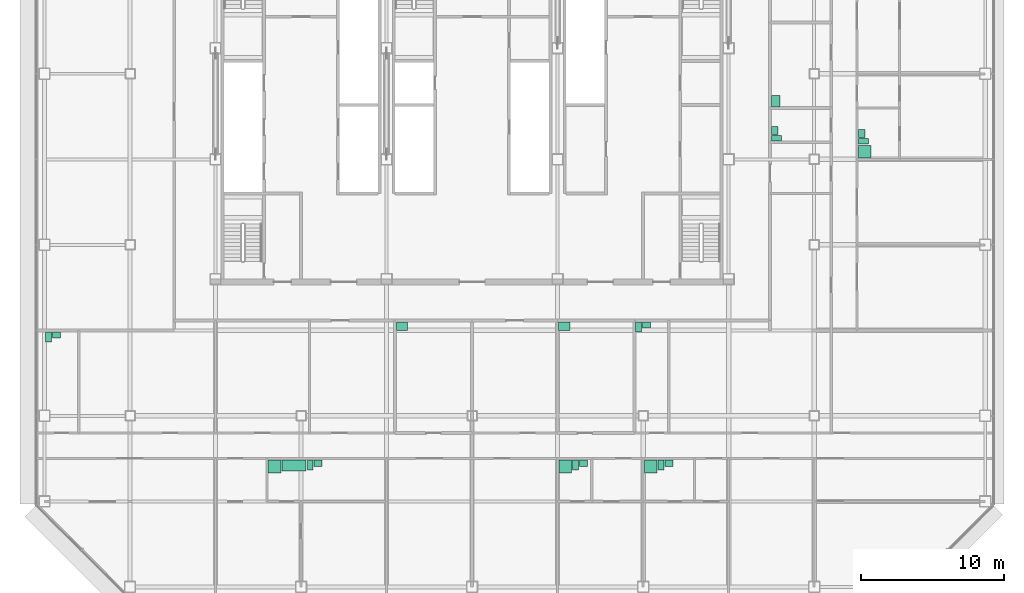
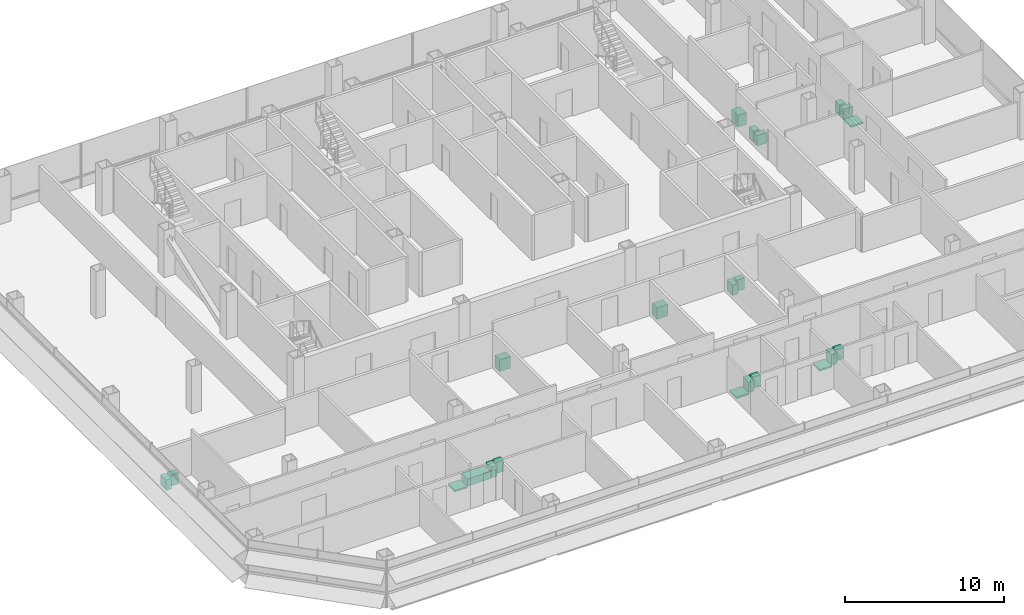
# One storey, part 25 of 25: 22 sanitary terminals.
"""IFC4 building model written with IfcOpenShell, lengths in metres."""

import ifcopenshell
import ifcopenshell.guid

model = None  # the IFC model being written
_history = None  # IfcOwnerHistory: only IFC2X3 demands one
_inside = {}  # id of a spatial element -> (the spatial element, [elements in it])
_under = {}  # id of a project, library or spatial element -> (it, [spatial elements below it])
_declared = {}  # id of a project -> (the project, [libraries it declares])
_typed = {}  # id of a type object -> (the type object, [elements of that type])
_made_of = {}  # id of a material, layer set ... -> (it, [elements and type objects made of it])


def new_model(schema):
    """Start an empty IFC model of exactly this schema.

    Asked for "IFC4X3", IfcOpenShell would pick the latest addendum, in which some entities
    have other attributes; the version numbers below select the first issue.
    IFC2X3 requires an IfcOwnerHistory on every rooted entity: one is made here for all.
    """
    global model, _history
    if schema == "IFC4X3":
        model = ifcopenshell.file(schema_version=(4, 3, 0, 0))
    else:
        model = ifcopenshell.file(schema=schema)
    _inside.clear()
    _under.clear()
    _declared.clear()
    _typed.clear()
    _made_of.clear()
    _history = None
    if model.schema == "IFC2X3":
        org = make("IfcOrganization", Name="unknown")
        user = make(
            "IfcPersonAndOrganization",
            ThePerson=make("IfcPerson", FamilyName="unknown"),
            TheOrganization=org,
        )
        app = make(
            "IfcApplication",
            ApplicationDeveloper=org,
            Version="unknown",
            ApplicationFullName="unknown",
            ApplicationIdentifier="unknown",
        )
        _history = make(
            "IfcOwnerHistory",
            OwningUser=user,
            OwningApplication=app,
            ChangeAction="ADDED",
            CreationDate=0,
        )
    return model


def make(cls, **values):
    """One entity of the class cls with the attributes given. An attribute that is None is left unset."""
    return model.create_entity(
        cls, **{name: value for name, value in values.items() if value is not None}
    )


def rooted(cls, **values):
    """An entity with a GlobalId (a new one), such as an element, a storey or a relation."""
    return make(cls, GlobalId=ifcopenshell.guid.new(), OwnerHistory=_history, **values)


def si_unit(unit_type, name, prefix=None):
    """IfcSIUnit, for example si_unit("LENGTHUNIT", "METRE", prefix="MILLI")."""
    return make("IfcSIUnit", UnitType=unit_type, Prefix=prefix, Name=name)


def assignment(units):
    """IfcUnitAssignment: the units of a project."""
    return None if units is None else make("IfcUnitAssignment", Units=units)


def point(xyz):
    """IfcCartesianPoint."""
    return None if xyz is None else make("IfcCartesianPoint", Coordinates=xyz)


def direction(xyz):
    """IfcDirection."""
    return None if xyz is None else make("IfcDirection", DirectionRatios=xyz)


def frame(location, z_axis=None, x_axis=None):
    """IfcAxis2Placement3D, a coordinate frame: its origin and axes. An axis left out is left unset."""
    return make(
        "IfcAxis2Placement3D",
        Location=point(location),
        Axis=direction(z_axis),
        RefDirection=direction(x_axis),
    )


def frame_2d(location, x_axis=None):
    """IfcAxis2Placement2D, a coordinate frame in the plane: its origin and x axis."""
    return make(
        "IfcAxis2Placement2D", Location=point(location), RefDirection=direction(x_axis)
    )


def origin():
    """The frame at (0, 0, 0) with its axes left unset."""
    return frame((0.0, 0.0, 0.0))


def origin_2d():
    """The frame at (0, 0) in the plane with its x axis left unset."""
    return frame_2d((0.0, 0.0))


def place(relative_to, where):
    """IfcLocalPlacement: puts the frame where relative to a parent placement (None: the world)."""
    return make(
        "IfcLocalPlacement", PlacementRelTo=relative_to, RelativePlacement=where
    )


def context(
    kind, dimensions, precision=None, world=None, true_north=None, identifier=None
):
    """IfcGeometricRepresentationContext, for example the 3D "Model" context."""
    return make(
        "IfcGeometricRepresentationContext",
        ContextIdentifier=identifier,
        ContextType=kind,
        CoordinateSpaceDimension=dimensions,
        Precision=precision,
        WorldCoordinateSystem=world,
        TrueNorth=true_north,
    )


def subcontext(parent, identifier, kind, view, scale=None):
    """IfcGeometricRepresentationSubContext, for example "Body" below "Model"."""
    return make(
        "IfcGeometricRepresentationSubContext",
        ContextIdentifier=identifier,
        ContextType=kind,
        ParentContext=parent,
        TargetScale=scale,
        TargetView=view,
    )


def project(units=None, contexts=None):
    """IfcProject with its units and contexts."""
    return rooted(
        "IfcProject",
        Name="project",
        RepresentationContexts=contexts,
        UnitsInContext=assignment(units),
    )


def spatial(cls, under=None, at=None, **own):
    """A site, building, storey or space (cls), placed at a placement, below another one or the project."""
    s = rooted(cls, ObjectPlacement=at, **own)
    if under is not None:
        _under.setdefault(under.id(), (under, []))[1].append(s)
    return s


def profile(cls, at=None, kind="AREA", **sizes):
    """A parametric profile (cls). Its sizes go by their IFC names, for example OverallWidth=200.0."""
    return make(cls, ProfileType=kind, Position=at, **sizes)


def rectangle(**sizes):
    """IfcRectangleProfileDef."""
    return profile("IfcRectangleProfileDef", **sizes)


def extrude(swept, where, along, depth):
    """IfcExtrudedAreaSolid: the profile swept, set in the frame where, extruded along a direction by depth."""
    return make(
        "IfcExtrudedAreaSolid",
        SweptArea=swept,
        Position=where,
        ExtrudedDirection=direction(along),
        Depth=depth,
    )


def shape(context_of_items, identifier, shape_type, items):
    """IfcShapeRepresentation: the items that make up one representation, for example the "Body"."""
    return make(
        "IfcShapeRepresentation",
        ContextOfItems=context_of_items,
        RepresentationIdentifier=identifier,
        RepresentationType=shape_type,
        Items=items,
    )


def made_of(thing, what):
    """Note that an element or type object is made of a material, layer set ...; save() writes the relation."""
    if what is not None:
        _made_of.setdefault(what.id(), (what, []))[1].append(thing)
    return thing


def element(
    cls,
    number,
    at=None,
    inside=None,
    cuts=None,
    type_object=None,
    material=None,
    context=None,
    identifier="Body",
    shape_type=None,
    held_by="IfcProductDefinitionShape",
    body=None,
    shapes=None,
    **own,
):
    """One element of the class cls, such as IfcWall. Its Tag is "e" and its number.

    at: its placement. inside: the storey or other place that contains it. cuts: it is an
    opening in that element (IfcRelVoidsElement). A single representation is given by context,
    identifier, shape_type and body (its items); several are given by shapes. held_by: the class
    of the entity that holds the representations. save() writes the other relations.
    """
    e = rooted(cls, Tag="e%d" % number, ObjectPlacement=at, **own)
    if body is not None:
        shapes = [shape(context, identifier, shape_type, body)]
    if shapes is not None:
        e.Representation = make(held_by, Representations=shapes)
    if inside is not None:
        _inside.setdefault(inside.id(), (inside, []))[1].append(e)
    if cuts is not None:
        rooted(
            "IfcRelVoidsElement", RelatingBuildingElement=cuts, RelatedOpeningElement=e
        )
    if type_object is not None:
        _typed.setdefault(type_object.id(), (type_object, []))[1].append(e)
    return made_of(e, material)


def aggregate(whole, parts):
    """IfcRelAggregates: a whole, such as a stair, and the parts it consists of."""
    return rooted("IfcRelAggregates", RelatingObject=whole, RelatedObjects=parts)


def save(model, path):
    """Write the relations noted so far, then the file.

    IfcRelAggregates (storeys below a building ...), IfcRelContainedInSpatialStructure (elements
    in a storey), IfcRelDefinesByType, IfcRelAssociatesMaterial and IfcRelDeclares: one each for
    every whole, place, type object, material and project.
    """
    for whole, parts in _under.values():
        aggregate(whole, parts)
    for where, things in _inside.values():
        rooted(
            "IfcRelContainedInSpatialStructure",
            RelatedElements=things,
            RelatingStructure=where,
        )
    for kind, things in _typed.values():
        rooted("IfcRelDefinesByType", RelatedObjects=things, RelatingType=kind)
    for what, things in _made_of.values():
        rooted("IfcRelAssociatesMaterial", RelatedObjects=things, RelatingMaterial=what)
    for by, libraries in _declared.values():
        rooted("IfcRelDeclares", RelatingContext=by, RelatedDefinitions=libraries)
    model.write(path)


model = new_model("IFC4")

# Units and contexts
model_context = context("Model", 3, precision=1e-05, world=origin(), true_north=direction((0.0, 1.0)))
body_context = subcontext(model_context, "Body", "Model", "MODEL_VIEW")
ifc_project = project(units=[si_unit("LENGTHUNIT", "METRE"), si_unit("AREAUNIT", "SQUARE_METRE"), si_unit("VOLUMEUNIT", "CUBIC_METRE"), si_unit("PLANEANGLEUNIT", "RADIAN"), si_unit("MASSUNIT", "GRAM", prefix="KILO")], contexts=[model_context])

# Site, building, storey
site_placement = place(None, origin())
site = spatial("IfcSite", under=ifc_project, at=site_placement, CompositionType="ELEMENT")
building_placement = place(site_placement, origin())
building = spatial("IfcBuilding", under=site, at=building_placement, Name="Sorahane Residences", CompositionType="ELEMENT")
storey_placement = place(building_placement, frame((0.0, 0.0, 119.60009765625)))
storey = spatial("IfcBuildingStorey", under=building, at=storey_placement, Name="L26", CompositionType="ELEMENT", Elevation=119.60009765625)

# Sanitary terminals
sanitary_terminal_1_placement = place(storey_placement, frame((10.1298828125, 8.449951171875, -0.000244140625), z_axis=(0.0, 0.0, 1.0), x_axis=(1.0, 0.0, 0.0)))
element("IfcSanitaryTerminal", 1, at=sanitary_terminal_1_placement, inside=storey, Name="Shower tray En-suite bathroom 26A", PredefinedType="SHOWER", context=body_context, shape_type="SweptSolid", body=[
    extrude(rectangle(XDim=0.89990234375, YDim=0.89990234375, at=origin_2d()), origin(), (0.0, 0.0, 1.0), 0.1201171875),
])
sanitary_terminal_2_placement = place(storey_placement, frame((11.510009765625, 8.52490234375, -0.000244140625), z_axis=(0.0, 0.0, 1.0), x_axis=(1.0, 0.0, 0.0)))
element("IfcSanitaryTerminal", 2, at=sanitary_terminal_2_placement, inside=storey, Name="Bath En-suite bathroom 26A", PredefinedType="BATH", context=body_context, shape_type="SweptSolid", body=[
    extrude(rectangle(XDim=1.699951171875, YDim=0.75, at=origin_2d()), origin(), (0.0, 0.0, 1.0), 0.56005859375),
])
sanitary_terminal_3_placement = place(storey_placement, frame((12.639892578125, 8.550048828125, 0.0), z_axis=(0.0, 0.0, 1.0), x_axis=(1.0, 0.0, 0.0)))
element("IfcSanitaryTerminal", 3, at=sanitary_terminal_3_placement, inside=storey, Name="WC pan En-suite bathroom 26A", PredefinedType="TOILETPAN", context=body_context, shape_type="SweptSolid", body=[
    extrude(rectangle(XDim=0.39990234375, YDim=0.699951171875, at=origin_2d()), origin(), (0.0, 0.0, 1.0), 0.800048828125),
])
sanitary_terminal_4_placement = place(storey_placement, frame((13.195068359375, 8.675048828125, -0.000244140625), z_axis=(0.0, 0.0, 1.0), x_axis=(1.0, 0.0, 0.0)))
element("IfcSanitaryTerminal", 4, at=sanitary_terminal_4_placement, inside=storey, Name="Wash basin En-suite bathroom 26A", PredefinedType="WASHHANDBASIN", context=body_context, shape_type="SweptSolid", body=[
    extrude(rectangle(XDim=0.550048828125, YDim=0.449951171875, at=origin_2d()), origin(), (0.0, 0.0, 1.0), 0.85009765625),
])
sanitary_terminal_5_placement = place(storey_placement, frame((-5.719970703125, 17.550048828125, 0.0), z_axis=(0.0, 0.0, 1.0), x_axis=(1.0, 0.0, 0.0)))
element("IfcSanitaryTerminal", 5, at=sanitary_terminal_5_placement, inside=storey, Name="WC pan Powder room 26A", PredefinedType="TOILETPAN", context=body_context, shape_type="SweptSolid", body=[
    extrude(rectangle(XDim=0.39990234375, YDim=0.699951171875, at=origin_2d()), origin(), (0.0, 0.0, 1.0), 0.800048828125),
])
sanitary_terminal_6_placement = place(storey_placement, frame((-5.1650390625, 17.675048828125, -0.000244140625), z_axis=(0.0, 0.0, 1.0), x_axis=(1.0, 0.0, 0.0)))
element("IfcSanitaryTerminal", 6, at=sanitary_terminal_6_placement, inside=storey, Name="Wash basin Powder room 26A", PredefinedType="WASHHANDBASIN", context=body_context, shape_type="SweptSolid", body=[
    extrude(rectangle(XDim=0.550048828125, YDim=0.449951171875, at=origin_2d()), origin(), (0.0, 0.0, 1.0), 0.85009765625),
])
sanitary_terminal_7_placement = place(storey_placement, frame((19.080078125, 18.300048828125, 0.0), z_axis=(0.0, 0.0, 1.0), x_axis=(1.0, 0.0, 0.0)))
element("IfcSanitaryTerminal", 7, at=sanitary_terminal_7_placement, inside=storey, Name="Kitchen sink Kitchen 26A", PredefinedType="SINK", context=body_context, shape_type="SweptSolid", body=[
    extrude(rectangle(XDim=0.800048828125, YDim=0.60009765625, at=origin_2d()), origin(), (0.0, 0.0, 1.0), 0.89990234375),
])
sanitary_terminal_8_placement = place(storey_placement, frame((30.530029296875, 8.449951171875, -0.000244140625), z_axis=(0.0, 0.0, 1.0), x_axis=(1.0, 0.0, 0.0)))
element("IfcSanitaryTerminal", 8, at=sanitary_terminal_8_placement, inside=storey, Name="Shower tray En-suite bathroom 26B", PredefinedType="SHOWER", context=body_context, shape_type="SweptSolid", body=[
    extrude(rectangle(XDim=0.89990234375, YDim=0.89990234375, at=origin_2d()), origin(), (0.0, 0.0, 1.0), 0.1201171875),
])
sanitary_terminal_9_placement = place(storey_placement, frame((31.260009765625, 8.550048828125, 0.0), z_axis=(0.0, 0.0, 1.0), x_axis=(1.0, 0.0, 0.0)))
element("IfcSanitaryTerminal", 9, at=sanitary_terminal_9_placement, inside=storey, Name="WC pan En-suite bathroom 26B", PredefinedType="TOILETPAN", context=body_context, shape_type="SweptSolid", body=[
    extrude(rectangle(XDim=0.39990234375, YDim=0.699951171875, at=origin_2d()), origin(), (0.0, 0.0, 1.0), 0.800048828125),
])
sanitary_terminal_10_placement = place(storey_placement, frame((31.81494140625, 8.675048828125, -0.000244140625), z_axis=(0.0, 0.0, 1.0), x_axis=(1.0, 0.0, 0.0)))
element("IfcSanitaryTerminal", 10, at=sanitary_terminal_10_placement, inside=storey, Name="Wash basin En-suite bathroom 26B", PredefinedType="WASHHANDBASIN", context=body_context, shape_type="SweptSolid", body=[
    extrude(rectangle(XDim=0.550048828125, YDim=0.449951171875, at=origin_2d()), origin(), (0.0, 0.0, 1.0), 0.85009765625),
])
sanitary_terminal_11_placement = place(storey_placement, frame((36.530029296875, 8.449951171875, -0.000244140625), z_axis=(0.0, 0.0, 1.0), x_axis=(1.0, 0.0, 0.0)))
element("IfcSanitaryTerminal", 11, at=sanitary_terminal_11_placement, inside=storey, Name="Shower tray En-suite bathroom 26B-2", PredefinedType="SHOWER", context=body_context, shape_type="SweptSolid", body=[
    extrude(rectangle(XDim=0.89990234375, YDim=0.89990234375, at=origin_2d()), origin(), (0.0, 0.0, 1.0), 0.1201171875),
])
sanitary_terminal_12_placement = place(storey_placement, frame((37.260009765625, 8.550048828125, 0.0), z_axis=(0.0, 0.0, 1.0), x_axis=(1.0, 0.0, 0.0)))
element("IfcSanitaryTerminal", 12, at=sanitary_terminal_12_placement, inside=storey, Name="WC pan En-suite bathroom 26B-2", PredefinedType="TOILETPAN", context=body_context, shape_type="SweptSolid", body=[
    extrude(rectangle(XDim=0.39990234375, YDim=0.699951171875, at=origin_2d()), origin(), (0.0, 0.0, 1.0), 0.800048828125),
])
sanitary_terminal_13_placement = place(storey_placement, frame((37.81494140625, 8.675048828125, -0.000244140625), z_axis=(0.0, 0.0, 1.0), x_axis=(1.0, 0.0, 0.0)))
element("IfcSanitaryTerminal", 13, at=sanitary_terminal_13_placement, inside=storey, Name="Wash basin En-suite bathroom 26B-2", PredefinedType="WASHHANDBASIN", context=body_context, shape_type="SweptSolid", body=[
    extrude(rectangle(XDim=0.550048828125, YDim=0.449951171875, at=origin_2d()), origin(), (0.0, 0.0, 1.0), 0.85009765625),
])
sanitary_terminal_14_placement = place(storey_placement, frame((30.47998046875, 18.300048828125, 0.0), z_axis=(0.0, 0.0, 1.0), x_axis=(1.0, 0.0, 0.0)))
element("IfcSanitaryTerminal", 14, at=sanitary_terminal_14_placement, inside=storey, Name="Kitchen sink Kitchen 26B", PredefinedType="SINK", context=body_context, shape_type="SweptSolid", body=[
    extrude(rectangle(XDim=0.800048828125, YDim=0.60009765625, at=origin_2d()), origin(), (0.0, 0.0, 1.0), 0.89990234375),
])
sanitary_terminal_15_placement = place(storey_placement, frame((35.679931640625, 18.25, 0.0), z_axis=(0.0, 0.0, 1.0), x_axis=(1.0, 0.0, 0.0)))
element("IfcSanitaryTerminal", 15, at=sanitary_terminal_15_placement, inside=storey, Name="WC pan Powder room 26B", PredefinedType="TOILETPAN", context=body_context, shape_type="SweptSolid", body=[
    extrude(rectangle(XDim=0.39990234375, YDim=0.699951171875, at=origin_2d()), origin(), (0.0, 0.0, 1.0), 0.800048828125),
])
sanitary_terminal_16_placement = place(storey_placement, frame((36.235107421875, 18.375, -0.000244140625), z_axis=(0.0, 0.0, 1.0), x_axis=(1.0, 0.0, 0.0)))
element("IfcSanitaryTerminal", 16, at=sanitary_terminal_16_placement, inside=storey, Name="Wash basin Powder room 26B", PredefinedType="WASHHANDBASIN", context=body_context, shape_type="SweptSolid", body=[
    extrude(rectangle(XDim=0.550048828125, YDim=0.449951171875, at=origin_2d()), origin(), (0.0, 0.0, 1.0), 0.85009765625),
])
sanitary_terminal_17_placement = place(storey_placement, frame((51.550048828125, 30.530029296875, -0.000244140625), z_axis=(0.0, 0.0, 1.0), x_axis=(0.0, 1.0, 0.0)))
element("IfcSanitaryTerminal", 17, at=sanitary_terminal_17_placement, inside=storey, Name="Shower tray En-suite bathroom 26C", PredefinedType="SHOWER", context=body_context, shape_type="SweptSolid", body=[
    extrude(rectangle(XDim=0.89990234375, YDim=0.89990234375, at=origin_2d()), origin(), (0.0, 0.0, 1.0), 0.1201171875),
])
sanitary_terminal_18_placement = place(storey_placement, frame((51.449951171875, 31.260009765625, 0.0), z_axis=(0.0, 0.0, 1.0), x_axis=(0.0, 1.0, 0.0)))
element("IfcSanitaryTerminal", 18, at=sanitary_terminal_18_placement, inside=storey, Name="WC pan En-suite bathroom 26C", PredefinedType="TOILETPAN", context=body_context, shape_type="SweptSolid", body=[
    extrude(rectangle(XDim=0.39990234375, YDim=0.699951171875, at=origin_2d()), origin(), (0.0, 0.0, 1.0), 0.800048828125),
])
sanitary_terminal_19_placement = place(storey_placement, frame((51.324951171875, 31.81494140625, -0.000244140625), z_axis=(0.0, 0.0, 1.0), x_axis=(0.0, 1.0, 0.0)))
element("IfcSanitaryTerminal", 19, at=sanitary_terminal_19_placement, inside=storey, Name="Wash basin En-suite bathroom 26C", PredefinedType="WASHHANDBASIN", context=body_context, shape_type="SweptSolid", body=[
    extrude(rectangle(XDim=0.550048828125, YDim=0.449951171875, at=origin_2d()), origin(), (0.0, 0.0, 1.0), 0.85009765625),
])
sanitary_terminal_20_placement = place(storey_placement, frame((45.35009765625, 31.47998046875, 0.0), z_axis=(0.0, 0.0, 1.0), x_axis=(0.0, 1.0, 0.0)))
element("IfcSanitaryTerminal", 20, at=sanitary_terminal_20_placement, inside=storey, Name="WC pan Guest WC 26C", PredefinedType="TOILETPAN", context=body_context, shape_type="SweptSolid", body=[
    extrude(rectangle(XDim=0.39990234375, YDim=0.699951171875, at=origin_2d()), origin(), (0.0, 0.0, 1.0), 0.800048828125),
])
sanitary_terminal_21_placement = place(storey_placement, frame((45.22509765625, 32.034912109375, -0.000244140625), z_axis=(0.0, 0.0, 1.0), x_axis=(0.0, 1.0, 0.0)))
element("IfcSanitaryTerminal", 21, at=sanitary_terminal_21_placement, inside=storey, Name="Wash basin Guest WC 26C", PredefinedType="WASHHANDBASIN", context=body_context, shape_type="SweptSolid", body=[
    extrude(rectangle(XDim=0.550048828125, YDim=0.449951171875, at=origin_2d()), origin(), (0.0, 0.0, 1.0), 0.85009765625),
])
sanitary_terminal_22_placement = place(storey_placement, frame((45.300048828125, 34.080078125, 0.0), z_axis=(0.0, 0.0, 1.0), x_axis=(0.0, 1.0, 0.0)))
element("IfcSanitaryTerminal", 22, at=sanitary_terminal_22_placement, inside=storey, Name="Kitchen sink Kitchen 26C", PredefinedType="SINK", context=body_context, shape_type="SweptSolid", body=[
    extrude(rectangle(XDim=0.800048828125, YDim=0.60009765625, at=origin_2d()), origin(), (0.0, 0.0, 1.0), 0.89990234375),
])

save(model, "model.ifc")
